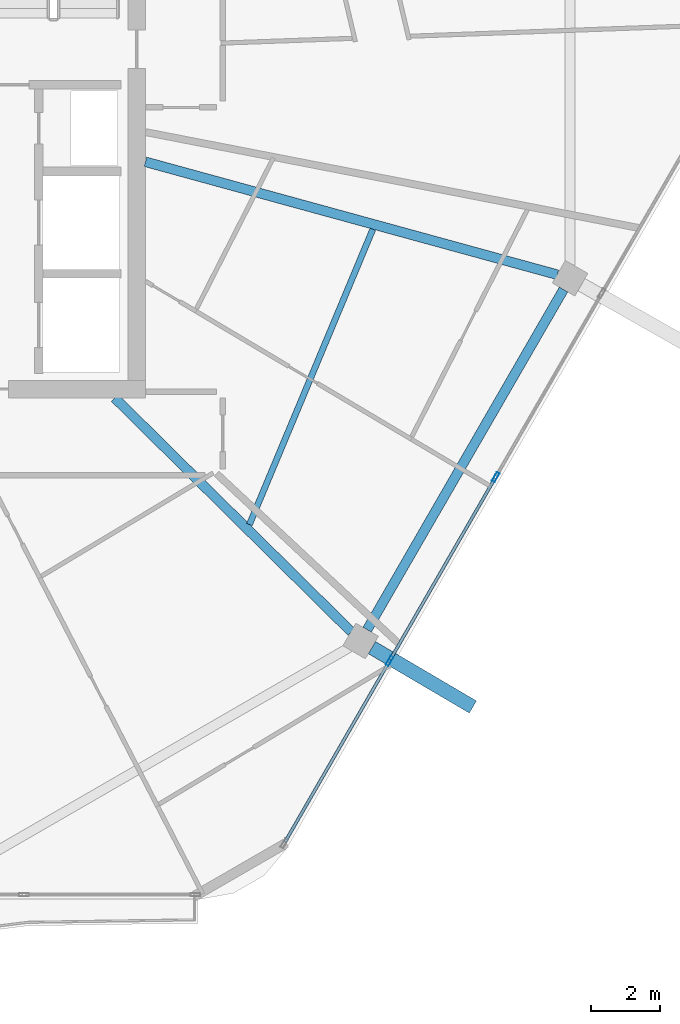
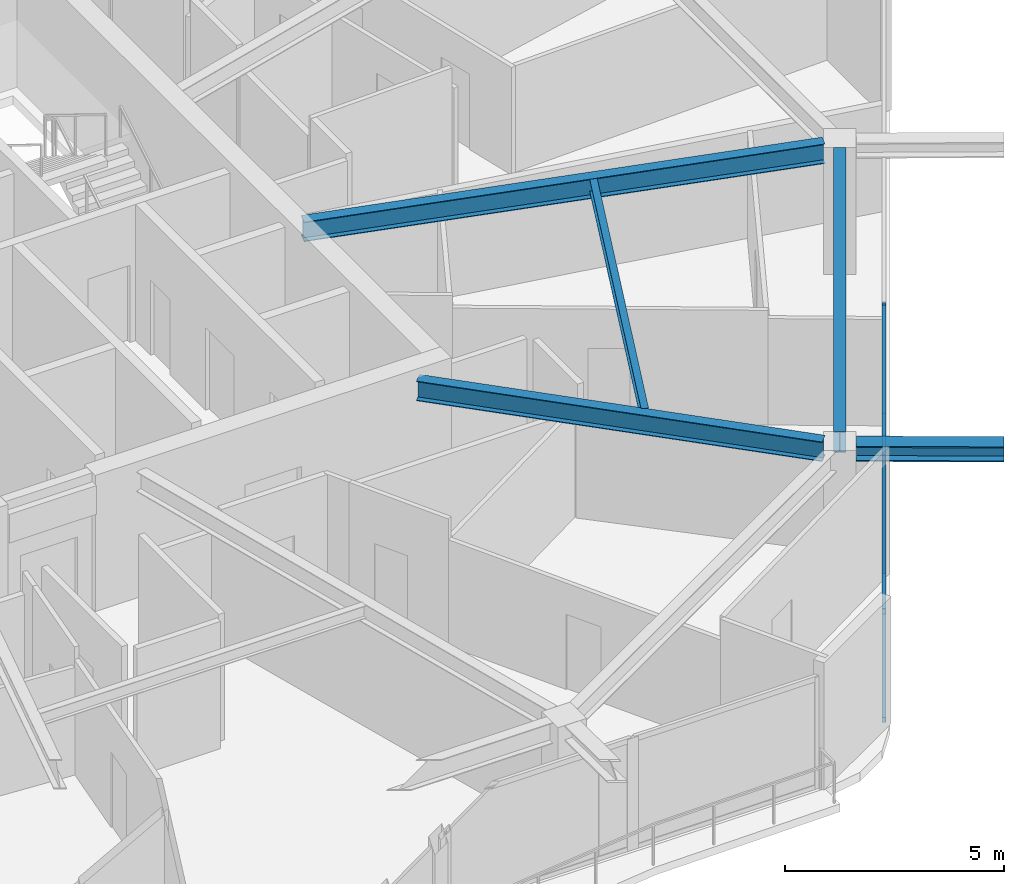
# One storey, part 6 of 21: 6 members, 5 beams, 1 element without a shape of its own.
"""IFC4 building model written with IfcOpenShell, lengths in metres."""

from ifc_helpers import new_model, si_unit, direction, frame, origin, origin_2d, place, context, subcontext, project, spatial, hollow_rectangle, i_section, extrude, material, material_profile, profile_set, type_object, element, aggregate, save


model = new_model("IFC4")

# Units and contexts
model_context = context("Model", 3, precision=1e-05, world=origin(), true_north=direction((0.0, 1.0)))
body_context = subcontext(model_context, "Body", "Model", "MODEL_VIEW")
ifc_project = project(units=[si_unit("LENGTHUNIT", "METRE"), si_unit("AREAUNIT", "SQUARE_METRE"), si_unit("VOLUMEUNIT", "CUBIC_METRE"), si_unit("PLANEANGLEUNIT", "RADIAN"), si_unit("MASSUNIT", "GRAM", prefix="KILO")], contexts=[model_context])

# Site, building, storey
site_placement = place(None, origin())
site = spatial("IfcSite", under=ifc_project, at=site_placement, CompositionType="ELEMENT")
building_placement = place(site_placement, origin())
building = spatial("IfcBuilding", under=site, at=building_placement, Name="Zuhravey Tower", CompositionType="ELEMENT")
storey_placement = place(building_placement, frame((0.0, 0.0, 334.800048828125)))
storey = spatial("IfcBuildingStorey", under=building, at=storey_placement, Name="L85", CompositionType="ELEMENT", Elevation=334.800048828125)

# Curtain wall, members
ifc_material_1 = material(Name="Thermally broken anodised aluminium", Category="aluminium")
curtain_wall_type = type_object("IfcCurtainWallType", Name="Zone 3-4 High-Rise Curtain Wall CW4", PredefinedType="NOTDEFINED", material=ifc_material_1)
curtain_wall_placement = place(storey_placement, origin())
curtain_wall = element("IfcCurtainWall", 1, at=curtain_wall_placement, inside=storey, type_object=curtain_wall_type, Name="L85 CW4 CW-L85-F6-1", PredefinedType="NOTDEFINED")
ifc_material_2 = material(Name="Anodised aluminium", Category="aluminium")
ifc_material_profile_1 = material_profile(ifc_material_2, hollow_rectangle(XDim=0.090087890625, YDim=0.284912109375, WallThickness=0.0048828125, at=origin_2d()), Name="ALU-RHS-90x285x5")
ifc_profile_set_1 = profile_set([ifc_material_profile_1], Name="Anodised aluminium")
member_type_1 = type_object("IfcMemberType", Name="Curtain-Wall Mullion 90x180", PredefinedType="MULLION", material=ifc_profile_set_1)
member_1_placement = place(storey_placement, frame((56.8486328125, 19.962890625, 0.0), z_axis=(0.0, 0.0, 1.0), x_axis=(0.866025511541, -0.49999981336, 0.0)))
member_1 = element("IfcMember", 2, at=member_1_placement, type_object=member_type_1, Name="CW4 mullion 3", PredefinedType="MULLION", context=body_context, shape_type="SweptSolid", body=[
    extrude(hollow_rectangle(XDim=0.090087890625, YDim=0.284912109375, WallThickness=0.0048828125, at=origin_2d()), origin(), (0.0, 0.0, 1.0), 3.1220703125),
])
member_2_placement = place(storey_placement, frame((53.788818359375, 14.6630859375, 0.0), z_axis=(0.0, 0.0, 1.0), x_axis=(0.866025511541, -0.49999981336, 0.0)))
member_2 = element("IfcMember", 3, at=member_2_placement, type_object=member_type_1, Name="CW4 mullion 4", PredefinedType="MULLION", context=body_context, shape_type="SweptSolid", body=[
    extrude(hollow_rectangle(XDim=0.090087890625, YDim=0.284912109375, WallThickness=0.0048828125, at=origin_2d()), origin(), (0.0, 0.0, 1.0), 3.1220703125),
])
ifc_material_profile_2 = material_profile(ifc_material_2, hollow_rectangle(XDim=0.090087890625, YDim=0.14990234375, WallThickness=0.0048828125, at=origin_2d()), Name="ALU-RHS-90x150x5")
ifc_profile_set_2 = profile_set([ifc_material_profile_2], Name="Anodised aluminium")
member_type_2 = type_object("IfcMemberType", Name="Curtain-Wall Transom 90x150", PredefinedType="USERDEFINED", material=ifc_profile_set_2)
member_3_placement = place(storey_placement, frame((56.826171875, 19.924072265625, 0.044921875), z_axis=(-0.499971305196, -0.866041970103, 0.0), x_axis=(0.866041970103, -0.499971305196, 0.0)))
member_3 = element("IfcMember", 4, at=member_3_placement, type_object=member_type_2, Name="CW4 transom 3.1", ObjectType="TRANSOM", PredefinedType="USERDEFINED", context=body_context, shape_type="SweptSolid", body=[
    extrude(hollow_rectangle(XDim=0.090087890625, YDim=0.14990234375, WallThickness=0.0048828125, at=origin_2d()), origin(), (0.0, 0.0, 1.0), 6.029541015625),
])
member_4_placement = place(storey_placement, frame((56.826171875, 19.924072265625, 3.076904296875), z_axis=(-0.499971305196, -0.866041970103, 0.0), x_axis=(0.866041970103, -0.499971305196, 0.0)))
member_4 = element("IfcMember", 5, at=member_4_placement, type_object=member_type_2, Name="CW4 transom 3.2", ObjectType="TRANSOM", PredefinedType="USERDEFINED", context=body_context, shape_type="SweptSolid", body=[
    extrude(hollow_rectangle(XDim=0.090087890625, YDim=0.14990234375, WallThickness=0.0048828125, at=origin_2d()), origin(), (0.0, 0.0, 1.0), 6.029541015625),
])
member_5_placement = place(storey_placement, frame((53.766357421875, 14.624267578125, 0.044921875), z_axis=(-0.499982594807, -0.866035452444, 0.0), x_axis=(0.866035452444, -0.499982594807, 0.0)))
member_5 = element("IfcMember", 6, at=member_5_placement, type_object=member_type_2, Name="CW4 transom 4.1", ObjectType="TRANSOM", PredefinedType="USERDEFINED", context=body_context, shape_type="SweptSolid", body=[
    extrude(hollow_rectangle(XDim=0.090087890625, YDim=0.14990234375, WallThickness=0.0048828125, at=origin_2d()), origin(), (0.0, 0.0, 1.0), 5.984619140625),
])
member_6_placement = place(storey_placement, frame((53.766357421875, 14.624267578125, 3.076904296875), z_axis=(-0.499982594807, -0.866035452444, 0.0), x_axis=(0.866035452444, -0.499982594807, 0.0)))
member_6 = element("IfcMember", 7, at=member_6_placement, type_object=member_type_2, Name="CW4 transom 4.2", ObjectType="TRANSOM", PredefinedType="USERDEFINED", context=body_context, shape_type="SweptSolid", body=[
    extrude(hollow_rectangle(XDim=0.090087890625, YDim=0.14990234375, WallThickness=0.0048828125, at=origin_2d()), origin(), (0.0, 0.0, 1.0), 5.984619140625),
])
aggregate(curtain_wall, [member_1, member_2, member_3, member_4, member_5, member_6])

# Beams
ifc_material_3 = material(Name="Steel SM460", Category="steel")
ifc_material_profile_3 = material_profile(ifc_material_3, i_section(OverallWidth=0.406982421875, OverallDepth=0.427978515625, WebThickness=0.02001953125, FlangeThickness=0.034912109375, at=origin_2d()), Name="H-428x407x20x35")
ifc_profile_set_3 = profile_set([ifc_material_profile_3], Name="Steel SM460")
beam_type_1 = type_object("IfcBeamType", Name="Exoskeleton Node Tie Beam H428x407", PredefinedType="BEAM", material=ifc_profile_set_3)
beam_1_placement = place(storey_placement, frame((53.281494140625, 15.04638671875, 3.3359375), z_axis=(0.862172060963, -0.506615571509, 0.0), x_axis=(0.506615571509, 0.862172060963, 0.0)))
element("IfcBeam", 8, at=beam_1_placement, inside=storey, type_object=beam_type_1, Name="L85 Exoskeleton Node Tie NT1-11", PredefinedType="BEAM", context=body_context, shape_type="SweptSolid", body=[
    extrude(i_section(OverallWidth=0.406982421875, OverallDepth=0.427978515625, WebThickness=0.02001953125, FlangeThickness=0.034912109375, at=origin_2d()), origin(), (0.0, 0.0, 1.0), 3.376220703125),
])
ifc_material_4 = material(Name="Steel SM355", Category="steel")
ifc_material_profile_4 = material_profile(ifc_material_4, i_section(OverallWidth=0.280029296875, OverallDepth=0.580078125, WebThickness=0.011962890625, FlangeThickness=0.01904296875, at=origin_2d()), Name="H-580x280x12x19")
ifc_profile_set_4 = profile_set([ifc_material_profile_4], Name="Steel SM355")
beam_type_2 = type_object("IfcBeamType", Name="Perimeter Ring Beam H580x280", PredefinedType="BEAM", material=ifc_profile_set_4)
beam_2_placement = place(storey_placement, frame((53.143798828125, 15.565673828125, 3.260009765625), z_axis=(0.499993743963, 0.866029015679, 0.0), x_axis=(-0.866029015679, 0.499993743963, 0.0)))
element("IfcBeam", 9, at=beam_2_placement, inside=storey, type_object=beam_type_2, Name="L85 PB4 BM-L85-PB-11", PredefinedType="BEAM", context=body_context, shape_type="SweptSolid", body=[
    extrude(i_section(OverallWidth=0.280029296875, OverallDepth=0.580078125, WebThickness=0.011962890625, FlangeThickness=0.01904296875, at=origin_2d()), origin(), (0.0, 0.0, 1.0), 11.321533203125),
])
ifc_material_profile_5 = material_profile(ifc_material_4, i_section(OverallWidth=0.280029296875, OverallDepth=0.550048828125, WebThickness=0.010986328125, FlangeThickness=0.01806640625, at=origin_2d()), Name="H-550x280x11x18")
ifc_profile_set_5 = profile_set([ifc_material_profile_5], Name="Steel SM355")
beam_type_3 = type_object("IfcBeamType", Name="Radial Primary Girder H550x280", PredefinedType="BEAM", material=ifc_profile_set_5)
beam_3_placement = place(storey_placement, frame((45.865234375, 22.2470703125, 3.27490234375), z_axis=(0.711142578304, -0.703047817238, 0.0), x_axis=(0.703047817238, 0.711142578304, 0.0)))
element("IfcBeam", 10, at=beam_3_placement, inside=storey, type_object=beam_type_3, Name="L85 RG4 BM-L85-RAD-11", PredefinedType="BEAM", context=body_context, shape_type="SweptSolid", body=[
    extrude(i_section(OverallWidth=0.280029296875, OverallDepth=0.550048828125, WebThickness=0.010986328125, FlangeThickness=0.01806640625, at=origin_2d()), origin(), (0.0, 0.0, 1.0), 9.591064453125),
])
beam_4_placement = place(storey_placement, frame((46.7529296875, 29.052734375, 3.27490234375), z_axis=(0.964428588077, -0.264343523658, 0.0), x_axis=(0.264343523658, 0.964428588077, 0.0)))
element("IfcBeam", 11, at=beam_4_placement, inside=storey, type_object=beam_type_3, Name="L85 RG4 BM-L85-RAD-12", PredefinedType="BEAM", context=body_context, shape_type="SweptSolid", body=[
    extrude(i_section(OverallWidth=0.280029296875, OverallDepth=0.550048828125, WebThickness=0.010986328125, FlangeThickness=0.01806640625, at=origin_2d()), origin(), (0.0, 0.0, 1.0), 12.31396484375),
])
ifc_material_profile_6 = material_profile(ifc_material_4, i_section(OverallWidth=0.175048828125, OverallDepth=0.35009765625, WebThickness=0.007080078125, FlangeThickness=0.010986328125, at=origin_2d()), Name="H-350x175x7x11")
ifc_profile_set_6 = profile_set([ifc_material_profile_6], Name="Steel SM355")
beam_type_4 = type_object("IfcBeamType", Name="Secondary Floor Joist H350x175", PredefinedType="JOIST", material=ifc_profile_set_6)
beam_5_placement = place(storey_placement, frame((49.7490234375, 18.59521484375, 3.375), z_axis=(0.385657891576, 0.922641853953, 0.0), x_axis=(-0.922641853953, 0.385657891576, 0.0)))
element("IfcBeam", 12, at=beam_5_placement, inside=storey, type_object=beam_type_4, Name="L85 SJ3 BM-L85-SJ-11-1", PredefinedType="JOIST", context=body_context, shape_type="SweptSolid", body=[
    extrude(i_section(OverallWidth=0.175048828125, OverallDepth=0.35009765625, WebThickness=0.007080078125, FlangeThickness=0.010986328125, at=origin_2d()), origin(), (0.0, 0.0, 1.0), 9.226806640625),
])

save(model, "model.ifc")
